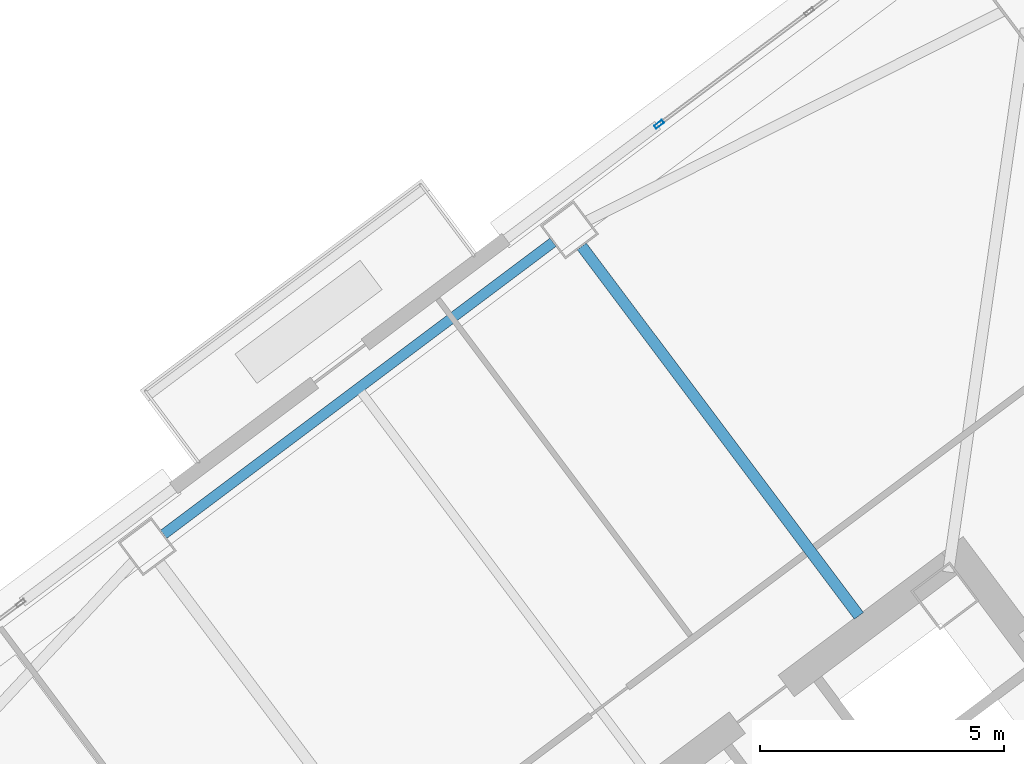
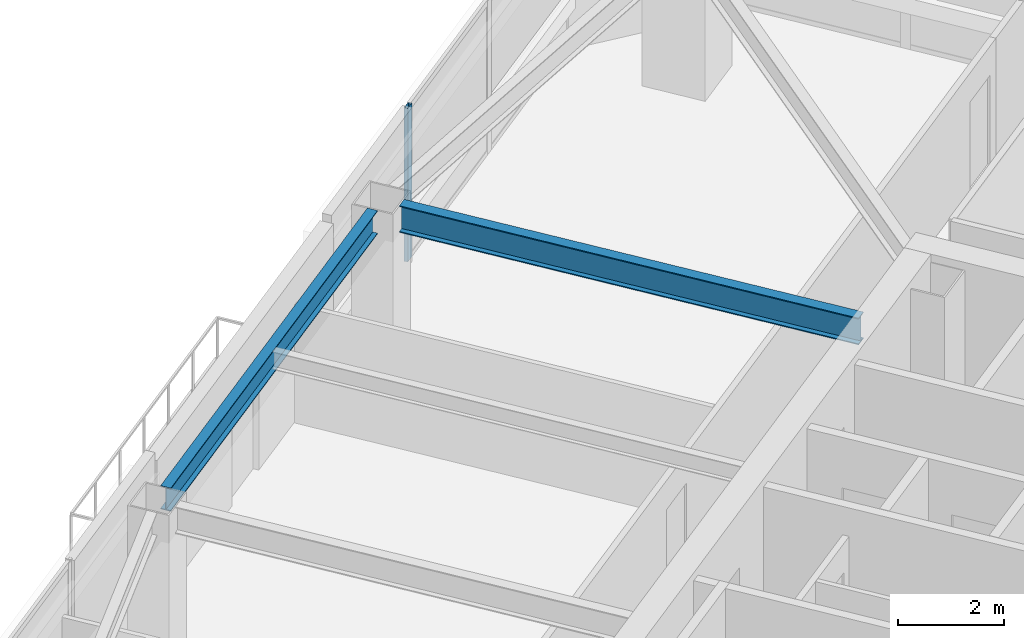
# One storey, part 30 of 48: 2 beams, 1 member, 1 element without a shape of its own.
"""IFC4 building model written with IfcOpenShell, lengths in metres."""

from ifc_helpers import new_model, si_unit, direction, frame, origin, origin_2d, place, context, subcontext, project, spatial, hollow_rectangle, i_section, extrude, material, material_profile, profile_set, type_object, element, aggregate, save


model = new_model("IFC4")

# Units and contexts
model_context = context("Model", 3, precision=1e-05, world=origin(), true_north=direction((0.0, 1.0)))
body_context = subcontext(model_context, "Body", "Model", "MODEL_VIEW")
ifc_project = project(units=[si_unit("LENGTHUNIT", "METRE"), si_unit("AREAUNIT", "SQUARE_METRE"), si_unit("VOLUMEUNIT", "CUBIC_METRE"), si_unit("PLANEANGLEUNIT", "RADIAN"), si_unit("MASSUNIT", "GRAM", prefix="KILO")], contexts=[model_context])

# Site, building, storey
site_placement = place(None, origin())
site = spatial("IfcSite", under=ifc_project, at=site_placement, CompositionType="ELEMENT")
building_placement = place(site_placement, origin())
building = spatial("IfcBuilding", under=site, at=building_placement, Name="Tashvorn Skyway Center", CompositionType="ELEMENT")
storey_placement = place(building_placement, frame((0.0, 0.0, 125.050048828125)))
storey = spatial("IfcBuildingStorey", under=building, at=storey_placement, Name="L33", CompositionType="ELEMENT", Elevation=125.050048828125)

# Beams
ifc_material_1 = material(Name="Steel ASTM A992 Grade 50", Category="steel")
ifc_material_profile_1 = material_profile(ifc_material_1, i_section(OverallWidth=0.22998046875, OverallDepth=0.616943359375, WebThickness=0.01318359375, FlangeThickness=0.022216796875, at=origin_2d()), Name="W24X94")
ifc_profile_set_1 = profile_set([ifc_material_profile_1], Name="Steel ASTM A992 Grade 50")
beam_type_1 = type_object("IfcBeamType", Name="BM-BEAM-W24X94", PredefinedType="BEAM", material=ifc_profile_set_1)
beam_1_placement = place(storey_placement, frame((107.98193359375, 49.02392578125, 3.0615234375), z_axis=(0.600020667896, -0.799984498661, 0.0), x_axis=(0.799984498661, 0.600020667896, 0.0)))
element("IfcBeam", 1, at=beam_1_placement, inside=storey, type_object=beam_type_1, Name="Tower 2 L33 Primary Floor Girder FC-N1", PredefinedType="BEAM", context=body_context, shape_type="SweptSolid", body=[
    extrude(i_section(OverallWidth=0.22998046875, OverallDepth=0.616943359375, WebThickness=0.01318359375, FlangeThickness=0.022216796875, at=origin_2d()), origin(), (0.0, 0.0, 1.0), 9.449951171875),
])
ifc_material_profile_2 = material_profile(ifc_material_1, i_section(OverallWidth=0.2109375, OverallDepth=0.5390625, WebThickness=0.01171875, FlangeThickness=0.018798828125, at=origin_2d()), Name="W21X73")
ifc_profile_set_2 = profile_set([ifc_material_profile_2], Name="Steel ASTM A992 Grade 50")
beam_type_2 = type_object("IfcBeamType", Name="BM-SPANDREL-W21X73", PredefinedType="SPANDREL", material=ifc_profile_set_2)
beam_2_placement = place(storey_placement, frame((107.39404296875, 49.10791015625, 3.100341796875), z_axis=(-0.800008824351, -0.599988234018, 0.0), x_axis=(0.599988234018, -0.800008824351, 0.0)))
element("IfcBeam", 2, at=beam_2_placement, inside=storey, type_object=beam_type_2, Name="Tower 2 L33 Spandrel Beam 08", PredefinedType="SPANDREL", context=body_context, shape_type="SweptSolid", body=[
    extrude(i_section(OverallWidth=0.2109375, OverallDepth=0.5390625, WebThickness=0.01171875, FlangeThickness=0.018798828125, at=origin_2d()), origin(), (0.0, 0.0, 1.0), 9.9599609375),
])

# Curtain wall, member
ifc_material_2 = material(Name="Thermally broken bronze-anodized aluminium 6063-T6", Category="aluminium")
curtain_wall_type = type_object("IfcCurtainWallType", Name="CW-CW-Z3", PredefinedType="NOTDEFINED", material=ifc_material_2)
curtain_wall_placement = place(storey_placement, origin())
curtain_wall = element("IfcCurtainWall", 3, at=curtain_wall_placement, inside=storey, type_object=curtain_wall_type, Name="Tower 2 L33 North Curtain Wall R Glazing Group 1", PredefinedType="NOTDEFINED")
ifc_material_profile_3 = material_profile(ifc_material_2, hollow_rectangle(XDim=0.074951171875, YDim=0.199951171875, WallThickness=0.00439453125, at=origin_2d()), Name="ALU-MULL-75x200")
ifc_profile_set_3 = profile_set([ifc_material_profile_3], Name="Thermally broken bronze-anodized aluminium 6063-T6")
member_type = type_object("IfcMemberType", Name="CWM-CW-Z3", PredefinedType="MULLION", material=ifc_profile_set_3)
member_placement = place(storey_placement, frame((109.563232421875, 51.5224609375, 0.0), z_axis=(0.0, 0.0, 1.0), x_axis=(-0.599997936379, 0.800001547712, 0.0)))
member = element("IfcMember", 4, at=member_placement, type_object=member_type, Name="CW-Z3 mullion 1", PredefinedType="MULLION", context=body_context, shape_type="SweptSolid", body=[
    extrude(hollow_rectangle(XDim=0.074951171875, YDim=0.199951171875, WallThickness=0.00439453125, at=origin_2d()), origin(), (0.0, 0.0, 1.0), 3.550048828125),
])
aggregate(curtain_wall, [member])

save(model, "model.ifc")
